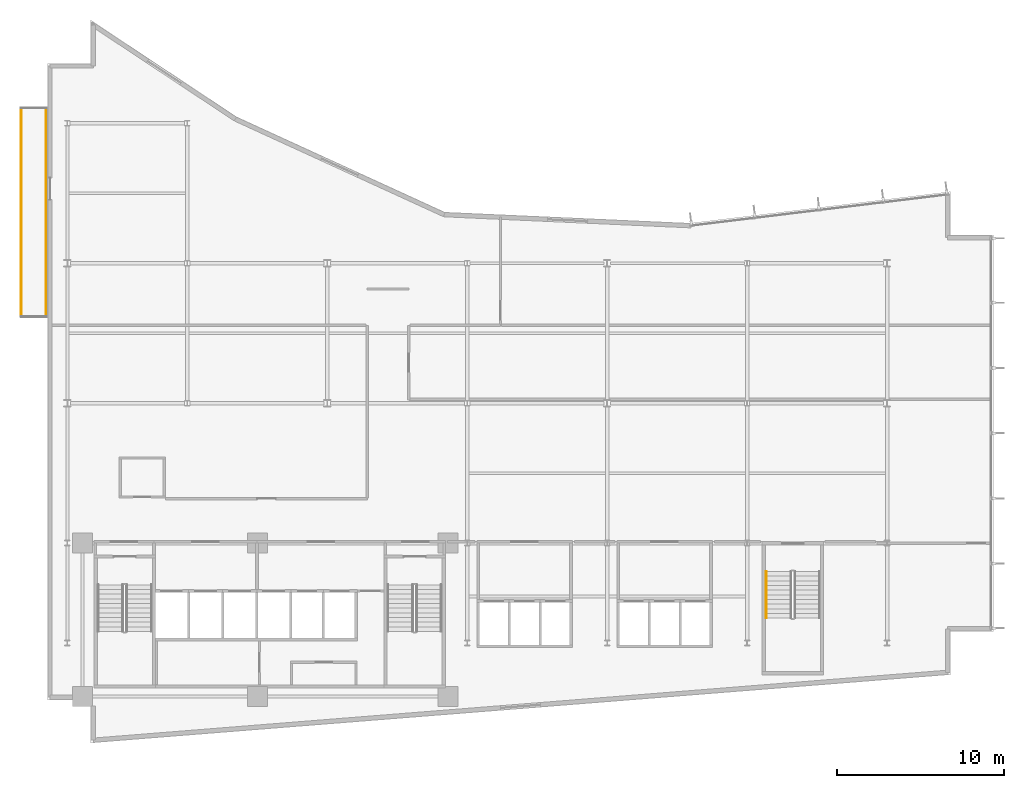
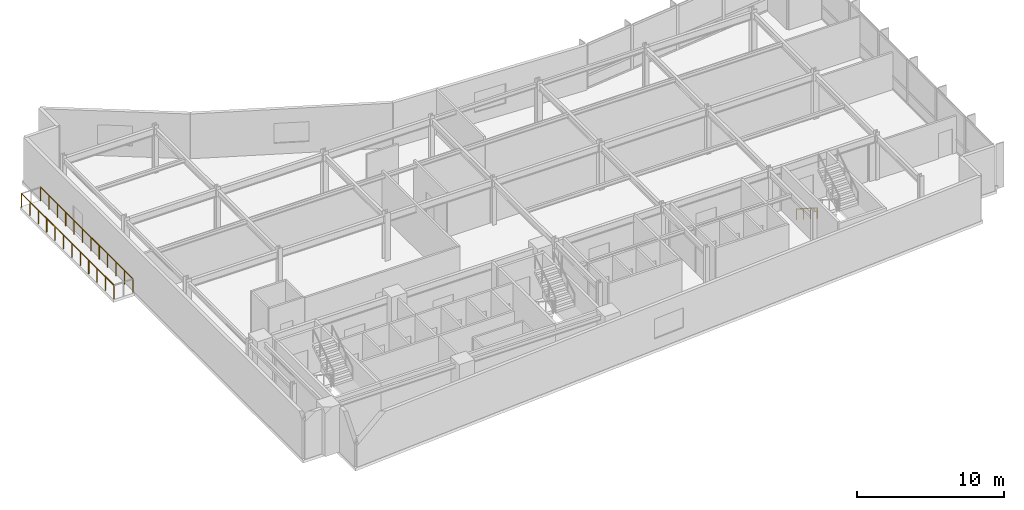
# One storey, part 14 of 17: 3 railings.
"""IFC4 building model written with IfcOpenShell, lengths in metres."""

import ifcopenshell
import ifcopenshell.guid

model = None  # the IFC model being written
_history = None  # IfcOwnerHistory: only IFC2X3 demands one
_inside = {}  # id of a spatial element -> (the spatial element, [elements in it])
_under = {}  # id of a project, library or spatial element -> (it, [spatial elements below it])
_declared = {}  # id of a project -> (the project, [libraries it declares])
_typed = {}  # id of a type object -> (the type object, [elements of that type])
_made_of = {}  # id of a material, layer set ... -> (it, [elements and type objects made of it])


def new_model(schema):
    """Start an empty IFC model of exactly this schema.

    Asked for "IFC4X3", IfcOpenShell would pick the latest addendum, in which some entities
    have other attributes; the version numbers below select the first issue.
    IFC2X3 requires an IfcOwnerHistory on every rooted entity: one is made here for all.
    """
    global model, _history
    if schema == "IFC4X3":
        model = ifcopenshell.file(schema_version=(4, 3, 0, 0))
    else:
        model = ifcopenshell.file(schema=schema)
    _inside.clear()
    _under.clear()
    _declared.clear()
    _typed.clear()
    _made_of.clear()
    _history = None
    if model.schema == "IFC2X3":
        org = make("IfcOrganization", Name="unknown")
        user = make(
            "IfcPersonAndOrganization",
            ThePerson=make("IfcPerson", FamilyName="unknown"),
            TheOrganization=org,
        )
        app = make(
            "IfcApplication",
            ApplicationDeveloper=org,
            Version="unknown",
            ApplicationFullName="unknown",
            ApplicationIdentifier="unknown",
        )
        _history = make(
            "IfcOwnerHistory",
            OwningUser=user,
            OwningApplication=app,
            ChangeAction="ADDED",
            CreationDate=0,
        )
    return model


def make(cls, **values):
    """One entity of the class cls with the attributes given. An attribute that is None is left unset."""
    return model.create_entity(
        cls, **{name: value for name, value in values.items() if value is not None}
    )


def rooted(cls, **values):
    """An entity with a GlobalId (a new one), such as an element, a storey or a relation."""
    return make(cls, GlobalId=ifcopenshell.guid.new(), OwnerHistory=_history, **values)


def si_unit(unit_type, name, prefix=None):
    """IfcSIUnit, for example si_unit("LENGTHUNIT", "METRE", prefix="MILLI")."""
    return make("IfcSIUnit", UnitType=unit_type, Prefix=prefix, Name=name)


def assignment(units):
    """IfcUnitAssignment: the units of a project."""
    return None if units is None else make("IfcUnitAssignment", Units=units)


def point(xyz):
    """IfcCartesianPoint."""
    return None if xyz is None else make("IfcCartesianPoint", Coordinates=xyz)


def direction(xyz):
    """IfcDirection."""
    return None if xyz is None else make("IfcDirection", DirectionRatios=xyz)


def frame(location, z_axis=None, x_axis=None):
    """IfcAxis2Placement3D, a coordinate frame: its origin and axes. An axis left out is left unset."""
    return make(
        "IfcAxis2Placement3D",
        Location=point(location),
        Axis=direction(z_axis),
        RefDirection=direction(x_axis),
    )


def frame_2d(location, x_axis=None):
    """IfcAxis2Placement2D, a coordinate frame in the plane: its origin and x axis."""
    return make(
        "IfcAxis2Placement2D", Location=point(location), RefDirection=direction(x_axis)
    )


def origin():
    """The frame at (0, 0, 0) with its axes left unset."""
    return frame((0.0, 0.0, 0.0))


def origin_2d():
    """The frame at (0, 0) in the plane with its x axis left unset."""
    return frame_2d((0.0, 0.0))


def place(relative_to, where):
    """IfcLocalPlacement: puts the frame where relative to a parent placement (None: the world)."""
    return make(
        "IfcLocalPlacement", PlacementRelTo=relative_to, RelativePlacement=where
    )


def context(
    kind, dimensions, precision=None, world=None, true_north=None, identifier=None
):
    """IfcGeometricRepresentationContext, for example the 3D "Model" context."""
    return make(
        "IfcGeometricRepresentationContext",
        ContextIdentifier=identifier,
        ContextType=kind,
        CoordinateSpaceDimension=dimensions,
        Precision=precision,
        WorldCoordinateSystem=world,
        TrueNorth=true_north,
    )


def subcontext(parent, identifier, kind, view, scale=None):
    """IfcGeometricRepresentationSubContext, for example "Body" below "Model"."""
    return make(
        "IfcGeometricRepresentationSubContext",
        ContextIdentifier=identifier,
        ContextType=kind,
        ParentContext=parent,
        TargetScale=scale,
        TargetView=view,
    )


def project(units=None, contexts=None):
    """IfcProject with its units and contexts."""
    return rooted(
        "IfcProject",
        Name="project",
        RepresentationContexts=contexts,
        UnitsInContext=assignment(units),
    )


def spatial(cls, under=None, at=None, **own):
    """A site, building, storey or space (cls), placed at a placement, below another one or the project."""
    s = rooted(cls, ObjectPlacement=at, **own)
    if under is not None:
        _under.setdefault(under.id(), (under, []))[1].append(s)
    return s


def profile(cls, at=None, kind="AREA", **sizes):
    """A parametric profile (cls). Its sizes go by their IFC names, for example OverallWidth=200.0."""
    return make(cls, ProfileType=kind, Position=at, **sizes)


def circle(**sizes):
    """IfcCircleProfileDef."""
    return profile("IfcCircleProfileDef", **sizes)


def extrude(swept, where, along, depth):
    """IfcExtrudedAreaSolid: the profile swept, set in the frame where, extruded along a direction by depth."""
    return make(
        "IfcExtrudedAreaSolid",
        SweptArea=swept,
        Position=where,
        ExtrudedDirection=direction(along),
        Depth=depth,
    )


def shape(context_of_items, identifier, shape_type, items):
    """IfcShapeRepresentation: the items that make up one representation, for example the "Body"."""
    return make(
        "IfcShapeRepresentation",
        ContextOfItems=context_of_items,
        RepresentationIdentifier=identifier,
        RepresentationType=shape_type,
        Items=items,
    )


def material(Name=None, Category=None):
    """IfcMaterial."""
    return make("IfcMaterial", Name=Name, Category=Category)


def made_of(thing, what):
    """Note that an element or type object is made of a material, layer set ...; save() writes the relation."""
    if what is not None:
        _made_of.setdefault(what.id(), (what, []))[1].append(thing)
    return thing


def type_object(cls, material=None, **own):
    """A type object (cls), such as IfcWallType, which elements share."""
    return made_of(rooted(cls, **own), material)


def element(
    cls,
    number,
    at=None,
    inside=None,
    cuts=None,
    type_object=None,
    material=None,
    context=None,
    identifier="Body",
    shape_type=None,
    held_by="IfcProductDefinitionShape",
    body=None,
    shapes=None,
    **own,
):
    """One element of the class cls, such as IfcWall. Its Tag is "e" and its number.

    at: its placement. inside: the storey or other place that contains it. cuts: it is an
    opening in that element (IfcRelVoidsElement). A single representation is given by context,
    identifier, shape_type and body (its items); several are given by shapes. held_by: the class
    of the entity that holds the representations. save() writes the other relations.
    """
    e = rooted(cls, Tag="e%d" % number, ObjectPlacement=at, **own)
    if body is not None:
        shapes = [shape(context, identifier, shape_type, body)]
    if shapes is not None:
        e.Representation = make(held_by, Representations=shapes)
    if inside is not None:
        _inside.setdefault(inside.id(), (inside, []))[1].append(e)
    if cuts is not None:
        rooted(
            "IfcRelVoidsElement", RelatingBuildingElement=cuts, RelatedOpeningElement=e
        )
    if type_object is not None:
        _typed.setdefault(type_object.id(), (type_object, []))[1].append(e)
    return made_of(e, material)


def aggregate(whole, parts):
    """IfcRelAggregates: a whole, such as a stair, and the parts it consists of."""
    return rooted("IfcRelAggregates", RelatingObject=whole, RelatedObjects=parts)


def save(model, path):
    """Write the relations noted so far, then the file.

    IfcRelAggregates (storeys below a building ...), IfcRelContainedInSpatialStructure (elements
    in a storey), IfcRelDefinesByType, IfcRelAssociatesMaterial and IfcRelDeclares: one each for
    every whole, place, type object, material and project.
    """
    for whole, parts in _under.values():
        aggregate(whole, parts)
    for where, things in _inside.values():
        rooted(
            "IfcRelContainedInSpatialStructure",
            RelatedElements=things,
            RelatingStructure=where,
        )
    for kind, things in _typed.values():
        rooted("IfcRelDefinesByType", RelatedObjects=things, RelatingType=kind)
    for what, things in _made_of.values():
        rooted("IfcRelAssociatesMaterial", RelatedObjects=things, RelatingMaterial=what)
    for by, libraries in _declared.values():
        rooted("IfcRelDeclares", RelatingContext=by, RelatedDefinitions=libraries)
    model.write(path)


model = new_model("IFC4")

# Units and contexts
model_context = context("Model", 3, precision=1e-05, world=origin(), true_north=direction((0.0, 1.0)))
body_context = subcontext(model_context, "Body", "Model", "MODEL_VIEW")
ifc_project = project(units=[si_unit("LENGTHUNIT", "METRE"), si_unit("AREAUNIT", "SQUARE_METRE"), si_unit("VOLUMEUNIT", "CUBIC_METRE"), si_unit("PLANEANGLEUNIT", "RADIAN"), si_unit("MASSUNIT", "GRAM", prefix="KILO")], contexts=[model_context])

# Site, building, storey
site_placement = place(None, origin())
site = spatial("IfcSite", under=ifc_project, at=site_placement, CompositionType="ELEMENT")
building_placement = place(site_placement, origin())
building = spatial("IfcBuilding", under=site, at=building_placement, Name="Varnakote Quay Hospital", CompositionType="ELEMENT")
storey_placement = place(building_placement, frame((0.0, 0.0, 103.35009765625)))
storey = spatial("IfcBuildingStorey", under=building, at=storey_placement, Name="L25", CompositionType="ELEMENT", Elevation=103.35009765625)

# Railings
ifc_material_1 = material(Name="Anodised aluminium 6063-T6 Bronze", Category="aluminium")
railing_type_1 = type_object("IfcRailingType", Name="RLG-EXT-GUARD-1150", PredefinedType="GUARDRAIL", material=ifc_material_1)
railing_1_placement = place(storey_placement, frame((-1.56005859375, 25.580078125, 0.0)))
element("IfcRailing", 1, at=railing_1_placement, inside=storey, type_object=railing_type_1, Name="L25 Zigzag Prow Healing Terrace Safety Guard", PredefinedType="GUARDRAIL", context=body_context, shape_type="SweptSolid", body=[
    extrude(circle(Radius=0.02392578125, at=origin_2d()), frame((0.0, 0.0, 1.1259765625), z_axis=(0.0, 1.0, 0.0), x_axis=(-1.0, 0.0, 0.0)), (0.0, 0.0, 1.0), 12.5400390625),
    extrude(circle(Radius=0.02099609375, at=origin_2d()), origin(), (0.0, 0.0, 1.0), 1.101806640625),
    extrude(circle(Radius=0.02099609375, at=origin_2d()), frame((0.0, 1.139892578125, 0.0)), (0.0, 0.0, 1.0), 1.101806640625),
    extrude(circle(Radius=0.02099609375, at=origin_2d()), frame((0.0, 2.280029296875, 0.0)), (0.0, 0.0, 1.0), 1.101806640625),
    extrude(circle(Radius=0.02099609375, at=origin_2d()), frame((0.0, 3.419921875, 0.0)), (0.0, 0.0, 1.0), 1.101806640625),
    extrude(circle(Radius=0.02099609375, at=origin_2d()), frame((0.0, 4.56005859375, 0.0)), (0.0, 0.0, 1.0), 1.101806640625),
    extrude(circle(Radius=0.02099609375, at=origin_2d()), frame((0.0, 5.699951171875, 0.0)), (0.0, 0.0, 1.0), 1.101806640625),
    extrude(circle(Radius=0.02099609375, at=origin_2d()), frame((0.0, 6.840087890625, 0.0)), (0.0, 0.0, 1.0), 1.101806640625),
    extrude(circle(Radius=0.02099609375, at=origin_2d()), frame((0.0, 7.97998046875, 0.0)), (0.0, 0.0, 1.0), 1.101806640625),
    extrude(circle(Radius=0.02099609375, at=origin_2d()), frame((0.0, 9.1201171875, 0.0)), (0.0, 0.0, 1.0), 1.101806640625),
    extrude(circle(Radius=0.02099609375, at=origin_2d()), frame((0.0, 10.260009765625, 0.0)), (0.0, 0.0, 1.0), 1.101806640625),
    extrude(circle(Radius=0.02099609375, at=origin_2d()), frame((0.0, 11.400146484375, 0.0)), (0.0, 0.0, 1.0), 1.101806640625),
    extrude(circle(Radius=0.02099609375, at=origin_2d()), frame((0.0, 12.5400390625, 0.0)), (0.0, 0.0, 1.0), 1.101806640625),
])
railing_2_placement = place(storey_placement, frame((-0.075927734375, 38.1201171875, 0.0)))
element("IfcRailing", 2, at=railing_2_placement, inside=storey, type_object=railing_type_1, Name="L25 Zigzag Prow Healing Terrace Safety Guard", PredefinedType="GUARDRAIL", context=body_context, shape_type="SweptSolid", body=[
    extrude(circle(Radius=0.02392578125, at=origin_2d()), frame((0.0, 0.0, 1.1259765625), z_axis=(0.0, -1.0, 0.0), x_axis=(1.0, 0.0, 0.0)), (0.0, 0.0, 1.0), 12.5400390625),
    extrude(circle(Radius=0.02099609375, at=origin_2d()), origin(), (0.0, 0.0, 1.0), 1.101806640625),
    extrude(circle(Radius=0.02099609375, at=origin_2d()), frame((0.0, -1.139892578125, 0.0)), (0.0, 0.0, 1.0), 1.101806640625),
    extrude(circle(Radius=0.02099609375, at=origin_2d()), frame((0.0, -2.280029296875, 0.0)), (0.0, 0.0, 1.0), 1.101806640625),
    extrude(circle(Radius=0.02099609375, at=origin_2d()), frame((0.0, -3.419921875, 0.0)), (0.0, 0.0, 1.0), 1.101806640625),
    extrude(circle(Radius=0.02099609375, at=origin_2d()), frame((0.0, -4.56005859375, 0.0)), (0.0, 0.0, 1.0), 1.101806640625),
    extrude(circle(Radius=0.02099609375, at=origin_2d()), frame((0.0, -5.699951171875, 0.0)), (0.0, 0.0, 1.0), 1.101806640625),
    extrude(circle(Radius=0.02099609375, at=origin_2d()), frame((0.0, -6.840087890625, 0.0)), (0.0, 0.0, 1.0), 1.101806640625),
    extrude(circle(Radius=0.02099609375, at=origin_2d()), frame((0.0, -7.97998046875, 0.0)), (0.0, 0.0, 1.0), 1.101806640625),
    extrude(circle(Radius=0.02099609375, at=origin_2d()), frame((0.0, -9.1201171875, 0.0)), (0.0, 0.0, 1.0), 1.101806640625),
    extrude(circle(Radius=0.02099609375, at=origin_2d()), frame((0.0, -10.260009765625, 0.0)), (0.0, 0.0, 1.0), 1.101806640625),
    extrude(circle(Radius=0.02099609375, at=origin_2d()), frame((0.0, -11.400146484375, 0.0)), (0.0, 0.0, 1.0), 1.101806640625),
    extrude(circle(Radius=0.02099609375, at=origin_2d()), frame((0.0, -12.5400390625, 0.0)), (0.0, 0.0, 1.0), 1.101806640625),
])
ifc_material_2 = material(Name="Brushed stainless steel handrail", Category="steel")
railing_type_2 = type_object("IfcRailingType", Name="RLG-STAIR-HND-920", PredefinedType="HANDRAIL", material=ifc_material_2)
railing_3_placement = place(storey_placement, frame((43.14990234375, 10.300048828125, 0.179443359375)))
element("IfcRailing", 3, at=railing_3_placement, inside=storey, type_object=railing_type_2, Name="L25 ST-03 stair handrail 1", PredefinedType="HANDRAIL", context=body_context, shape_type="SweptSolid", body=[
    extrude(circle(Radius=0.02392578125, at=origin_2d()), frame((0.0, 0.0, 0.8759765625), z_axis=(0.0, -0.841809871826, 0.539774156196), x_axis=(1.0, 0.0, 0.0)), (0.0, 0.0, 1.0), 3.326171875),
    extrude(circle(Radius=0.02099609375, at=origin_2d()), origin(), (0.0, 0.0, 1.0), 0.851806640625),
    extrude(circle(Radius=0.02099609375, at=origin_2d()), frame((0.0, -0.933349609375, 0.598388671875)), (0.0, 0.0, 1.0), 0.851806640625),
    extrude(circle(Radius=0.02099609375, at=origin_2d()), frame((0.0, -1.86669921875, 1.197021484375)), (0.0, 0.0, 1.0), 0.851806640625),
    extrude(circle(Radius=0.02099609375, at=origin_2d()), frame((0.0, -2.800048828125, 1.79541015625)), (0.0, 0.0, 1.0), 0.851806640625),
])

save(model, "model.ifc")
